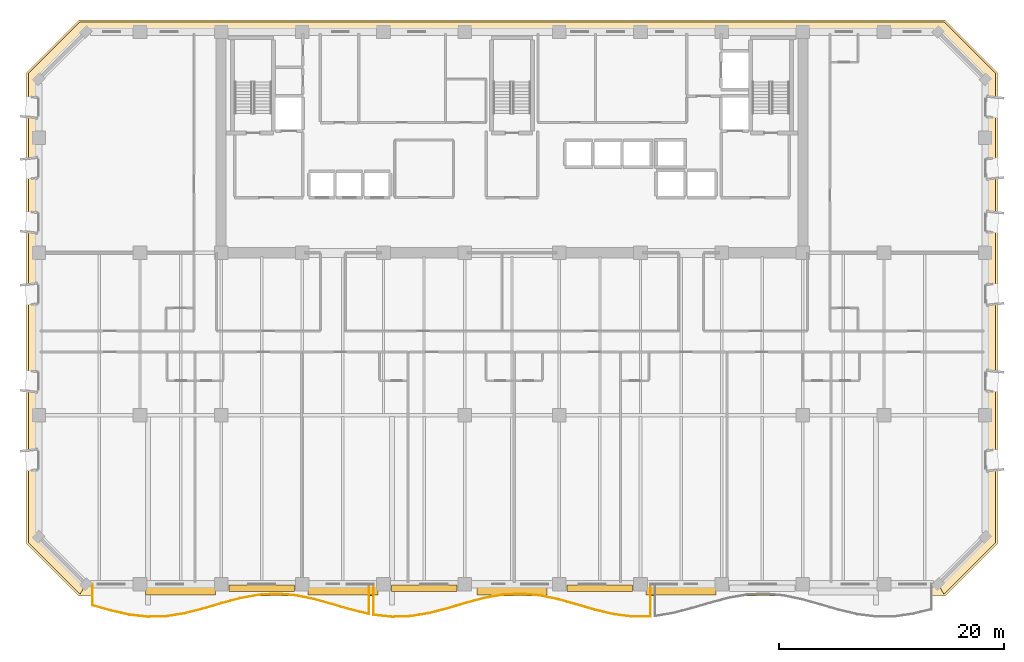
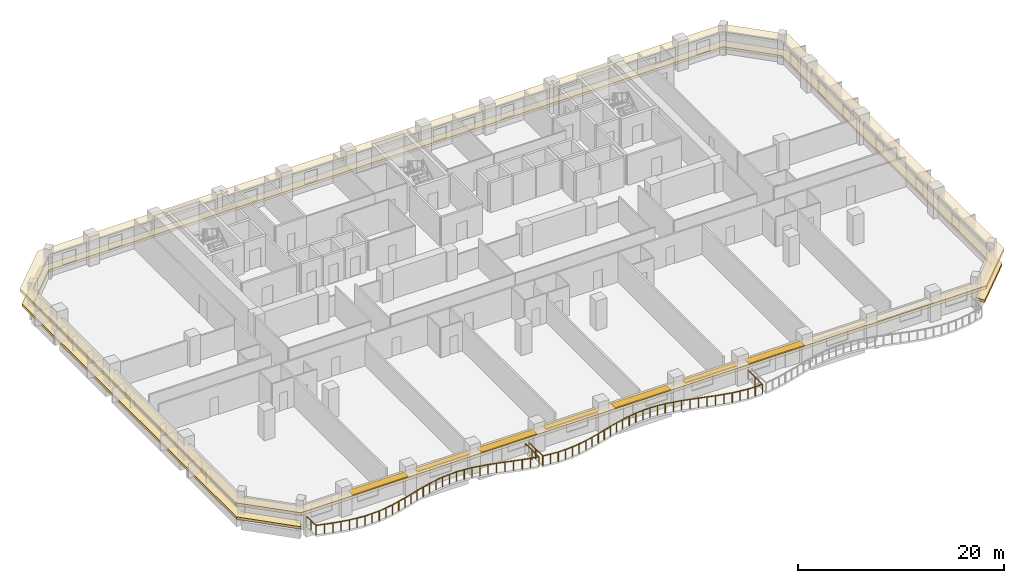
# One storey, part 11 of 14: 7 shading devices, 2 coverings, 2 railings.
"""IFC4 building model written with IfcOpenShell, lengths in metres."""

import ifcopenshell
import ifcopenshell.guid

model = None  # the IFC model being written
_history = None  # IfcOwnerHistory: only IFC2X3 demands one
_inside = {}  # id of a spatial element -> (the spatial element, [elements in it])
_under = {}  # id of a project, library or spatial element -> (it, [spatial elements below it])
_declared = {}  # id of a project -> (the project, [libraries it declares])
_typed = {}  # id of a type object -> (the type object, [elements of that type])
_made_of = {}  # id of a material, layer set ... -> (it, [elements and type objects made of it])


def new_model(schema):
    """Start an empty IFC model of exactly this schema.

    Asked for "IFC4X3", IfcOpenShell would pick the latest addendum, in which some entities
    have other attributes; the version numbers below select the first issue.
    IFC2X3 requires an IfcOwnerHistory on every rooted entity: one is made here for all.
    """
    global model, _history
    if schema == "IFC4X3":
        model = ifcopenshell.file(schema_version=(4, 3, 0, 0))
    else:
        model = ifcopenshell.file(schema=schema)
    _inside.clear()
    _under.clear()
    _declared.clear()
    _typed.clear()
    _made_of.clear()
    _history = None
    if model.schema == "IFC2X3":
        org = make("IfcOrganization", Name="unknown")
        user = make(
            "IfcPersonAndOrganization",
            ThePerson=make("IfcPerson", FamilyName="unknown"),
            TheOrganization=org,
        )
        app = make(
            "IfcApplication",
            ApplicationDeveloper=org,
            Version="unknown",
            ApplicationFullName="unknown",
            ApplicationIdentifier="unknown",
        )
        _history = make(
            "IfcOwnerHistory",
            OwningUser=user,
            OwningApplication=app,
            ChangeAction="ADDED",
            CreationDate=0,
        )
    return model


def make(cls, **values):
    """One entity of the class cls with the attributes given. An attribute that is None is left unset."""
    return model.create_entity(
        cls, **{name: value for name, value in values.items() if value is not None}
    )


def rooted(cls, **values):
    """An entity with a GlobalId (a new one), such as an element, a storey or a relation."""
    return make(cls, GlobalId=ifcopenshell.guid.new(), OwnerHistory=_history, **values)


def si_unit(unit_type, name, prefix=None):
    """IfcSIUnit, for example si_unit("LENGTHUNIT", "METRE", prefix="MILLI")."""
    return make("IfcSIUnit", UnitType=unit_type, Prefix=prefix, Name=name)


def assignment(units):
    """IfcUnitAssignment: the units of a project."""
    return None if units is None else make("IfcUnitAssignment", Units=units)


def point(xyz):
    """IfcCartesianPoint."""
    return None if xyz is None else make("IfcCartesianPoint", Coordinates=xyz)


def direction(xyz):
    """IfcDirection."""
    return None if xyz is None else make("IfcDirection", DirectionRatios=xyz)


def frame(location, z_axis=None, x_axis=None):
    """IfcAxis2Placement3D, a coordinate frame: its origin and axes. An axis left out is left unset."""
    return make(
        "IfcAxis2Placement3D",
        Location=point(location),
        Axis=direction(z_axis),
        RefDirection=direction(x_axis),
    )


def frame_2d(location, x_axis=None):
    """IfcAxis2Placement2D, a coordinate frame in the plane: its origin and x axis."""
    return make(
        "IfcAxis2Placement2D", Location=point(location), RefDirection=direction(x_axis)
    )


def origin():
    """The frame at (0, 0, 0) with its axes left unset."""
    return frame((0.0, 0.0, 0.0))


def origin_2d():
    """The frame at (0, 0) in the plane with its x axis left unset."""
    return frame_2d((0.0, 0.0))


def place(relative_to, where):
    """IfcLocalPlacement: puts the frame where relative to a parent placement (None: the world)."""
    return make(
        "IfcLocalPlacement", PlacementRelTo=relative_to, RelativePlacement=where
    )


def context(
    kind, dimensions, precision=None, world=None, true_north=None, identifier=None
):
    """IfcGeometricRepresentationContext, for example the 3D "Model" context."""
    return make(
        "IfcGeometricRepresentationContext",
        ContextIdentifier=identifier,
        ContextType=kind,
        CoordinateSpaceDimension=dimensions,
        Precision=precision,
        WorldCoordinateSystem=world,
        TrueNorth=true_north,
    )


def subcontext(parent, identifier, kind, view, scale=None):
    """IfcGeometricRepresentationSubContext, for example "Body" below "Model"."""
    return make(
        "IfcGeometricRepresentationSubContext",
        ContextIdentifier=identifier,
        ContextType=kind,
        ParentContext=parent,
        TargetScale=scale,
        TargetView=view,
    )


def project(units=None, contexts=None):
    """IfcProject with its units and contexts."""
    return rooted(
        "IfcProject",
        Name="project",
        RepresentationContexts=contexts,
        UnitsInContext=assignment(units),
    )


def spatial(cls, under=None, at=None, **own):
    """A site, building, storey or space (cls), placed at a placement, below another one or the project."""
    s = rooted(cls, ObjectPlacement=at, **own)
    if under is not None:
        _under.setdefault(under.id(), (under, []))[1].append(s)
    return s


def polyline(points):
    """IfcPolyline through the points."""
    return make("IfcPolyline", Points=[point(p) for p in points])


def profile(cls, at=None, kind="AREA", **sizes):
    """A parametric profile (cls). Its sizes go by their IFC names, for example OverallWidth=200.0."""
    return make(cls, ProfileType=kind, Position=at, **sizes)


def rectangle(**sizes):
    """IfcRectangleProfileDef."""
    return profile("IfcRectangleProfileDef", **sizes)


def outline(outer, holes=None, kind="AREA"):
    """IfcArbitraryClosedProfileDef: a profile drawn as a closed curve; with holes, ...WithVoids."""
    if holes is None:
        return make("IfcArbitraryClosedProfileDef", ProfileType=kind, OuterCurve=outer)
    return make(
        "IfcArbitraryProfileDefWithVoids",
        ProfileType=kind,
        OuterCurve=outer,
        InnerCurves=holes,
    )


def extrude(swept, where, along, depth):
    """IfcExtrudedAreaSolid: the profile swept, set in the frame where, extruded along a direction by depth."""
    return make(
        "IfcExtrudedAreaSolid",
        SweptArea=swept,
        Position=where,
        ExtrudedDirection=direction(along),
        Depth=depth,
    )


def shape(context_of_items, identifier, shape_type, items):
    """IfcShapeRepresentation: the items that make up one representation, for example the "Body"."""
    return make(
        "IfcShapeRepresentation",
        ContextOfItems=context_of_items,
        RepresentationIdentifier=identifier,
        RepresentationType=shape_type,
        Items=items,
    )


def material(Name=None, Category=None):
    """IfcMaterial."""
    return make("IfcMaterial", Name=Name, Category=Category)


def layer(
    of_material, thickness, ventilated=None, Name=None, Category=None, Priority=None
):
    """IfcMaterialLayer: one layer of a wall or slab, of a material (None: an air gap)."""
    return make(
        "IfcMaterialLayer",
        Material=of_material,
        LayerThickness=thickness,
        IsVentilated=ventilated,
        Name=Name,
        Category=Category,
        Priority=Priority,
    )


def layer_set(layers, Name=None):
    """IfcMaterialLayerSet."""
    return make("IfcMaterialLayerSet", MaterialLayers=layers, LayerSetName=Name)


def made_of(thing, what):
    """Note that an element or type object is made of a material, layer set ...; save() writes the relation."""
    if what is not None:
        _made_of.setdefault(what.id(), (what, []))[1].append(thing)
    return thing


def type_object(cls, material=None, **own):
    """A type object (cls), such as IfcWallType, which elements share."""
    return made_of(rooted(cls, **own), material)


def element(
    cls,
    number,
    at=None,
    inside=None,
    cuts=None,
    type_object=None,
    material=None,
    context=None,
    identifier="Body",
    shape_type=None,
    held_by="IfcProductDefinitionShape",
    body=None,
    shapes=None,
    **own,
):
    """One element of the class cls, such as IfcWall. Its Tag is "e" and its number.

    at: its placement. inside: the storey or other place that contains it. cuts: it is an
    opening in that element (IfcRelVoidsElement). A single representation is given by context,
    identifier, shape_type and body (its items); several are given by shapes. held_by: the class
    of the entity that holds the representations. save() writes the other relations.
    """
    e = rooted(cls, Tag="e%d" % number, ObjectPlacement=at, **own)
    if body is not None:
        shapes = [shape(context, identifier, shape_type, body)]
    if shapes is not None:
        e.Representation = make(held_by, Representations=shapes)
    if inside is not None:
        _inside.setdefault(inside.id(), (inside, []))[1].append(e)
    if cuts is not None:
        rooted(
            "IfcRelVoidsElement", RelatingBuildingElement=cuts, RelatedOpeningElement=e
        )
    if type_object is not None:
        _typed.setdefault(type_object.id(), (type_object, []))[1].append(e)
    return made_of(e, material)


def aggregate(whole, parts):
    """IfcRelAggregates: a whole, such as a stair, and the parts it consists of."""
    return rooted("IfcRelAggregates", RelatingObject=whole, RelatedObjects=parts)


def save(model, path):
    """Write the relations noted so far, then the file.

    IfcRelAggregates (storeys below a building ...), IfcRelContainedInSpatialStructure (elements
    in a storey), IfcRelDefinesByType, IfcRelAssociatesMaterial and IfcRelDeclares: one each for
    every whole, place, type object, material and project.
    """
    for whole, parts in _under.values():
        aggregate(whole, parts)
    for where, things in _inside.values():
        rooted(
            "IfcRelContainedInSpatialStructure",
            RelatedElements=things,
            RelatingStructure=where,
        )
    for kind, things in _typed.values():
        rooted("IfcRelDefinesByType", RelatedObjects=things, RelatingType=kind)
    for what, things in _made_of.values():
        rooted("IfcRelAssociatesMaterial", RelatedObjects=things, RelatingMaterial=what)
    for by, libraries in _declared.values():
        rooted("IfcRelDeclares", RelatingContext=by, RelatedDefinitions=libraries)
    model.write(path)


model = new_model("IFC4")

# Units and contexts
model_context = context("Model", 3, precision=1e-05, world=origin(), true_north=direction((0.0, 1.0)))
body_context = subcontext(model_context, "Body", "Model", "MODEL_VIEW")
ifc_project = project(units=[si_unit("LENGTHUNIT", "METRE"), si_unit("AREAUNIT", "SQUARE_METRE"), si_unit("VOLUMEUNIT", "CUBIC_METRE"), si_unit("PLANEANGLEUNIT", "RADIAN"), si_unit("MASSUNIT", "GRAM", prefix="KILO")], contexts=[model_context])

# Site, building, storey
site_placement = place(None, origin())
site = spatial("IfcSite", under=ifc_project, at=site_placement, CompositionType="ELEMENT")
building_placement = place(site_placement, origin())
building = spatial("IfcBuilding", under=site, at=building_placement, Name="Kaelvorn Grand Hotel", CompositionType="ELEMENT")
storey_placement = place(building_placement, frame((0.0, 0.0, 89.300048828125)))
storey = spatial("IfcBuildingStorey", under=building, at=storey_placement, Name="L20", CompositionType="ELEMENT", Elevation=89.300048828125)

# Coverings
ifc_material_1 = material(Name="Precast concrete C45/55", Category="concrete")
ifc_layer_1 = layer(ifc_material_1, 0.260009765625)
ifc_layer_set_1 = layer_set([ifc_layer_1], Name="Precast concrete C45/55")
covering_type_1 = type_object("IfcCoveringType", Name="COV-BAND-STREAMLINE-HEAD", PredefinedType="CLADDING", material=ifc_layer_set_1)
covering_1_placement = place(storey_placement, frame((0.0, 0.0, 2.179931640625)))
element("IfcCovering", 1, at=covering_1_placement, inside=storey, type_object=covering_type_1, Name="L20 Streamline Moderne Wraparound Horizontal Eyebrow Band", PredefinedType="CLADDING", context=body_context, shape_type="SweptSolid", body=[
    extrude(outline(polyline([(3.590087890625, -1.050048828125), (80.409912109375, -1.050048828125), (85.050048828125, 3.590087890625), (85.050048828125, 45.409912109375), (80.409912109375, 50.050048828125), (3.590087890625, 50.050048828125), (-1.050048828125, 45.409912109375), (-1.050048828125, 3.590087890625), (3.590087890625, -1.050048828125)]), holes=[polyline([(4.219970703125, 0.030029296875), (79.780029296875, 0.030029296875), (83.969970703125, 4.219970703125), (83.969970703125, 44.780029296875), (79.780029296875, 48.969970703125), (4.219970703125, 48.969970703125), (0.030029296875, 44.780029296875), (0.030029296875, 4.219970703125), (4.219970703125, 0.030029296875)])]), origin(), (0.0, 0.0, 1.0), 0.360107421875),
])
ifc_layer_2 = layer(ifc_material_1, 0.219970703125)
ifc_layer_set_2 = layer_set([ifc_layer_2], Name="Precast concrete C45/55")
covering_type_2 = type_object("IfcCoveringType", Name="COV-BAND-STREAMLINE-SILL", PredefinedType="CLADDING", material=ifc_layer_set_2)
covering_2_placement = place(storey_placement, frame((0.0, 0.0, 0.449951171875)))
element("IfcCovering", 2, at=covering_2_placement, inside=storey, type_object=covering_type_2, Name="L20 Streamline Moderne Wraparound Horizontal Sill Spandrel Band", PredefinedType="CLADDING", context=body_context, shape_type="SweptSolid", body=[
    extrude(outline(polyline([(80.3154296875, -0.8798828125), (84.8798828125, 3.6845703125), (84.8798828125, 45.3154296875), (80.3154296875, 49.8798828125), (3.6845703125, 49.8798828125), (-0.8798828125, 45.3154296875), (-0.8798828125, 3.6845703125), (3.6845703125, -0.8798828125), (4.217529296875, 0.030029296875), (0.030029296875, 4.217529296875), (0.030029296875, 44.782470703125), (4.217529296875, 48.969970703125), (79.782470703125, 48.969970703125), (83.969970703125, 44.782470703125), (83.969970703125, 4.217529296875), (79.782470703125, 0.030029296875), (80.3154296875, -0.8798828125)])), origin(), (0.0, 0.0, 1.0), 0.300048828125),
])

# Railings
ifc_material_2 = material(Name="Stainless Steel", Category="steel")
railing_type = type_object("IfcRailingType", Name="RL-BALC-1150", PredefinedType="BALUSTRADE", material=ifc_material_2)
railing_1_placement = place(storey_placement, frame((4.800048828125, 0.0, 0.0)))
element("IfcRailing", 3, at=railing_1_placement, inside=storey, type_object=railing_type, Name="L20 Scalloped Wave Balcony Balustrade GR1-1", PredefinedType="BALUSTRADE", context=body_context, shape_type="SweptSolid", body=[
    extrude(rectangle(XDim=0.048095703125, YDim=0.048095703125, at=origin_2d()), frame((0.0, 0.0, 1.1259765625), z_axis=(0.0, -1.0, 0.0), x_axis=(1.0, 0.0, 0.0)), (0.0, 0.0, 1.0), 1.875),
    extrude(rectangle(XDim=0.048095703125, YDim=0.048095703125, at=origin_2d()), frame((0.0, -1.875, 1.1259765625), z_axis=(0.961182099659, -0.275914789916, 0.0), x_axis=(0.275914789916, 0.961182099659, 0.0)), (0.0, 0.0, 1.0), 1.70166015625),
    extrude(rectangle(XDim=0.048095703125, YDim=0.048095703125, at=origin_2d()), frame((1.635498046875, -2.344482421875, 1.1259765625), z_axis=(0.975960285226, -0.21794843808, 0.0), x_axis=(0.21794843808, 0.975960285226, 0.0)), (0.0, 0.0, 1.0), 1.67578125),
    extrude(rectangle(XDim=0.048095703125, YDim=0.048095703125, at=origin_2d()), frame((3.27099609375, -2.709716796875, 1.1259765625), z_axis=(0.994020469758, -0.109193890409, 0.0), x_axis=(0.109193890409, 0.994020469758, 0.0)), (0.0, 0.0, 1.0), 1.6455078125),
    extrude(rectangle(XDim=0.048095703125, YDim=0.048095703125, at=origin_2d()), frame((4.90673828125, -2.889404296875, 1.1259765625), z_axis=(0.999614765722, 0.02775464195, 0.0), x_axis=(-0.02775464195, 0.999614765722, 0.0)), (0.0, 0.0, 1.0), 1.63623046875),
    extrude(rectangle(XDim=0.048095703125, YDim=0.048095703125, at=origin_2d()), frame((6.542236328125, -2.843994140625, 1.1259765625), z_axis=(0.987528788289, 0.157438534989, 0.0), x_axis=(-0.157438534989, 0.987528788289, 0.0)), (0.0, 0.0, 1.0), 1.65625),
    extrude(rectangle(XDim=0.048095703125, YDim=0.048095703125, at=origin_2d()), frame((8.177734375, -2.583251953125, 1.1259765625), z_axis=(0.968861629416, 0.247602792888, 0.0), x_axis=(-0.247602792888, 0.968861629416, 0.0)), (0.0, 0.0, 1.0), 1.68798828125),
    extrude(rectangle(XDim=0.048095703125, YDim=0.048095703125, at=origin_2d()), frame((9.813232421875, -2.165283203125, 1.1259765625), z_axis=(0.959105197492, 0.283049854522, 0.0), x_axis=(-0.283049854522, 0.959105197492, 0.0)), (0.0, 0.0, 1.0), 1.705322265625),
    extrude(rectangle(XDim=0.048095703125, YDim=0.048095703125, at=origin_2d()), frame((11.44873046875, -1.6826171875, 1.1259765625), z_axis=(0.965718666242, 0.25959094297, 0.0), x_axis=(-0.25959094297, 0.965718666242, 0.0)), (0.0, 0.0, 1.0), 1.69384765625),
    extrude(rectangle(XDim=0.048095703125, YDim=0.048095703125, at=origin_2d()), frame((13.08447265625, -1.242919921875, 1.1259765625), z_axis=(0.983662506195, 0.180022426122, 0.0), x_axis=(-0.180022426122, 0.983662506195, 0.0)), (0.0, 0.0, 1.0), 1.66259765625),
    extrude(rectangle(XDim=0.048095703125, YDim=0.048095703125, at=origin_2d()), frame((14.719970703125, -0.943603515625, 1.1259765625), z_axis=(0.998403431973, 0.056485281492, 0.0), x_axis=(-0.056485281492, 0.998403431973, 0.0)), (0.0, 0.0, 1.0), 1.63818359375),
    extrude(rectangle(XDim=0.048095703125, YDim=0.048095703125, at=origin_2d()), frame((16.35546875, -0.85107421875, 1.1259765625), z_axis=(0.996610094372, -0.082269798804, 0.0), x_axis=(0.082269798804, 0.996610094372, 0.0)), (0.0, 0.0, 1.0), 1.64111328125),
    extrude(rectangle(XDim=0.048095703125, YDim=0.048095703125, at=origin_2d()), frame((17.990966796875, -0.986083984375, 1.1259765625), z_axis=(0.979985536223, -0.199068703701, 0.0), x_axis=(0.199068703701, 0.979985536223, 0.0)), (0.0, 0.0, 1.0), 1.669189453125),
    extrude(rectangle(XDim=0.048095703125, YDim=0.048095703125, at=origin_2d()), frame((19.626708984375, -1.318359375, 1.1259765625), z_axis=(0.963251690304, -0.268600411627, 0.0), x_axis=(0.268600411627, 0.963251690304, 0.0)), (0.0, 0.0, 1.0), 1.697998046875),
    extrude(rectangle(XDim=0.048095703125, YDim=0.048095703125, at=origin_2d()), frame((21.26220703125, -1.7744140625, 1.1259765625), z_axis=(0.959763780104, -0.280808629498, 0.0), x_axis=(0.280808629498, 0.959763780104, 0.0)), (0.0, 0.0, 1.0), 1.7041015625),
    extrude(rectangle(XDim=0.048095703125, YDim=0.048095703125, at=origin_2d()), frame((22.897705078125, -2.2529296875, 1.1259765625), z_axis=(0.972148369978, -0.234366266236, 0.0), x_axis=(0.234366266236, 0.972148369978, 0.0)), (0.0, 0.0, 1.0), 1.682373046875),
    extrude(rectangle(XDim=0.048095703125, YDim=0.048095703125, at=origin_2d()), frame((24.533203125, -2.647216796875, 1.1259765625), z_axis=(0.0, 1.0, 0.0), x_axis=(-1.0, 0.0, 0.0)), (0.0, 0.0, 1.0), 2.647216796875),
    extrude(rectangle(XDim=0.0419921875, YDim=0.0419921875, at=origin_2d()), origin(), (0.0, 0.0, 1.0), 1.101806640625),
    extrude(rectangle(XDim=0.0419921875, YDim=0.0419921875, at=origin_2d()), frame((0.0, -0.9375, 0.0)), (0.0, 0.0, 1.0), 1.101806640625),
    extrude(rectangle(XDim=0.0419921875, YDim=0.0419921875, at=origin_2d()), frame((0.0, -1.875, 0.0)), (0.0, 0.0, 1.0), 1.101806640625),
    extrude(rectangle(XDim=0.0419921875, YDim=0.0419921875, at=origin_2d()), frame((0.81787109375, -2.10986328125, 0.0)), (0.0, 0.0, 1.0), 1.101806640625),
    extrude(rectangle(XDim=0.0419921875, YDim=0.0419921875, at=origin_2d()), frame((1.635498046875, -2.344482421875, 0.0)), (0.0, 0.0, 1.0), 1.101806640625),
    extrude(rectangle(XDim=0.0419921875, YDim=0.0419921875, at=origin_2d()), frame((2.453125, -2.527099609375, 0.0)), (0.0, 0.0, 1.0), 1.101806640625),
    extrude(rectangle(XDim=0.0419921875, YDim=0.0419921875, at=origin_2d()), frame((3.27099609375, -2.709716796875, 0.0)), (0.0, 0.0, 1.0), 1.101806640625),
    extrude(rectangle(XDim=0.0419921875, YDim=0.0419921875, at=origin_2d()), frame((4.0888671875, -2.799560546875, 0.0)), (0.0, 0.0, 1.0), 1.101806640625),
    extrude(rectangle(XDim=0.0419921875, YDim=0.0419921875, at=origin_2d()), frame((4.90673828125, -2.889404296875, 0.0)), (0.0, 0.0, 1.0), 1.101806640625),
    extrude(rectangle(XDim=0.0419921875, YDim=0.0419921875, at=origin_2d()), frame((5.724609375, -2.86669921875, 0.0)), (0.0, 0.0, 1.0), 1.101806640625),
    extrude(rectangle(XDim=0.0419921875, YDim=0.0419921875, at=origin_2d()), frame((6.542236328125, -2.843994140625, 0.0)), (0.0, 0.0, 1.0), 1.101806640625),
    extrude(rectangle(XDim=0.0419921875, YDim=0.0419921875, at=origin_2d()), frame((7.35986328125, -2.713623046875, 0.0)), (0.0, 0.0, 1.0), 1.101806640625),
    extrude(rectangle(XDim=0.0419921875, YDim=0.0419921875, at=origin_2d()), frame((8.177734375, -2.583251953125, 0.0)), (0.0, 0.0, 1.0), 1.101806640625),
    extrude(rectangle(XDim=0.0419921875, YDim=0.0419921875, at=origin_2d()), frame((8.99560546875, -2.374267578125, 0.0)), (0.0, 0.0, 1.0), 1.101806640625),
    extrude(rectangle(XDim=0.0419921875, YDim=0.0419921875, at=origin_2d()), frame((9.813232421875, -2.165283203125, 0.0)), (0.0, 0.0, 1.0), 1.101806640625),
    extrude(rectangle(XDim=0.0419921875, YDim=0.0419921875, at=origin_2d()), frame((10.630859375, -1.923828125, 0.0)), (0.0, 0.0, 1.0), 1.101806640625),
    extrude(rectangle(XDim=0.0419921875, YDim=0.0419921875, at=origin_2d()), frame((11.44873046875, -1.6826171875, 0.0)), (0.0, 0.0, 1.0), 1.101806640625),
    extrude(rectangle(XDim=0.0419921875, YDim=0.0419921875, at=origin_2d()), frame((12.2666015625, -1.462890625, 0.0)), (0.0, 0.0, 1.0), 1.101806640625),
    extrude(rectangle(XDim=0.0419921875, YDim=0.0419921875, at=origin_2d()), frame((13.08447265625, -1.242919921875, 0.0)), (0.0, 0.0, 1.0), 1.101806640625),
    extrude(rectangle(XDim=0.0419921875, YDim=0.0419921875, at=origin_2d()), frame((13.90234375, -1.09326171875, 0.0)), (0.0, 0.0, 1.0), 1.101806640625),
    extrude(rectangle(XDim=0.0419921875, YDim=0.0419921875, at=origin_2d()), frame((14.719970703125, -0.943603515625, 0.0)), (0.0, 0.0, 1.0), 1.101806640625),
    extrude(rectangle(XDim=0.0419921875, YDim=0.0419921875, at=origin_2d()), frame((15.53759765625, -0.8974609375, 0.0)), (0.0, 0.0, 1.0), 1.101806640625),
    extrude(rectangle(XDim=0.0419921875, YDim=0.0419921875, at=origin_2d()), frame((16.35546875, -0.85107421875, 0.0)), (0.0, 0.0, 1.0), 1.101806640625),
    extrude(rectangle(XDim=0.0419921875, YDim=0.0419921875, at=origin_2d()), frame((17.17333984375, -0.91845703125, 0.0)), (0.0, 0.0, 1.0), 1.101806640625),
    extrude(rectangle(XDim=0.0419921875, YDim=0.0419921875, at=origin_2d()), frame((17.990966796875, -0.986083984375, 0.0)), (0.0, 0.0, 1.0), 1.101806640625),
    extrude(rectangle(XDim=0.0419921875, YDim=0.0419921875, at=origin_2d()), frame((18.808837890625, -1.15234375, 0.0)), (0.0, 0.0, 1.0), 1.101806640625),
    extrude(rectangle(XDim=0.0419921875, YDim=0.0419921875, at=origin_2d()), frame((19.626708984375, -1.318359375, 0.0)), (0.0, 0.0, 1.0), 1.101806640625),
    extrude(rectangle(XDim=0.0419921875, YDim=0.0419921875, at=origin_2d()), frame((20.4443359375, -1.54638671875, 0.0)), (0.0, 0.0, 1.0), 1.101806640625),
    extrude(rectangle(XDim=0.0419921875, YDim=0.0419921875, at=origin_2d()), frame((21.26220703125, -1.7744140625, 0.0)), (0.0, 0.0, 1.0), 1.101806640625),
    extrude(rectangle(XDim=0.0419921875, YDim=0.0419921875, at=origin_2d()), frame((22.080078125, -2.013671875, 0.0)), (0.0, 0.0, 1.0), 1.101806640625),
    extrude(rectangle(XDim=0.0419921875, YDim=0.0419921875, at=origin_2d()), frame((22.897705078125, -2.2529296875, 0.0)), (0.0, 0.0, 1.0), 1.101806640625),
    extrude(rectangle(XDim=0.0419921875, YDim=0.0419921875, at=origin_2d()), frame((23.71533203125, -2.4501953125, 0.0)), (0.0, 0.0, 1.0), 1.101806640625),
    extrude(rectangle(XDim=0.0419921875, YDim=0.0419921875, at=origin_2d()), frame((24.533203125, -2.647216796875, 0.0)), (0.0, 0.0, 1.0), 1.101806640625),
    extrude(rectangle(XDim=0.0419921875, YDim=0.0419921875, at=origin_2d()), frame((24.533203125, -1.32373046875, 0.0)), (0.0, 0.0, 1.0), 1.101806640625),
    extrude(rectangle(XDim=0.0419921875, YDim=0.0419921875, at=origin_2d()), frame((24.533203125, 0.0, 0.0)), (0.0, 0.0, 1.0), 1.101806640625),
])
railing_2_placement = place(storey_placement, frame((29.7333984375, 0.0, 0.0)))
element("IfcRailing", 4, at=railing_2_placement, inside=storey, type_object=railing_type, Name="L20 Scalloped Wave Balcony Balustrade GR1-2", PredefinedType="BALUSTRADE", context=body_context, shape_type="SweptSolid", body=[
    extrude(rectangle(XDim=0.048095703125, YDim=0.048095703125, at=origin_2d()), frame((0.0, 0.0, 1.1259765625), z_axis=(0.0, -1.0, 0.0), x_axis=(1.0, 0.0, 0.0)), (0.0, 0.0, 1.0), 2.72021484375),
    extrude(rectangle(XDim=0.048095703125, YDim=0.048095703125, at=origin_2d()), frame((0.0, -2.72021484375, 1.1259765625), z_axis=(0.994538755279, -0.104367927297, 0.0), x_axis=(0.104367927297, 0.994538755279, 0.0)), (0.0, 0.0, 1.0), 1.64453125),
    extrude(rectangle(XDim=0.048095703125, YDim=0.048095703125, at=origin_2d()), frame((1.635498046875, -2.891845703125, 1.1259765625), z_axis=(0.999451346104, 0.033121092527, 0.0), x_axis=(-0.033121092527, 0.999451346104, 0.0)), (0.0, 0.0, 1.0), 1.636474609375),
    extrude(rectangle(XDim=0.048095703125, YDim=0.048095703125, at=origin_2d()), frame((3.27099609375, -2.837646484375, 1.1259765625), z_axis=(0.986832291042, 0.161746806324, 0.0), x_axis=(-0.161746806324, 0.986832291042, 0.0)), (0.0, 0.0, 1.0), 1.6572265625),
    extrude(rectangle(XDim=0.048095703125, YDim=0.048095703125, at=origin_2d()), frame((4.906494140625, -2.569580078125, 1.1259765625), z_axis=(0.968243477418, 0.250009136707, 0.0), x_axis=(-0.250009136707, 0.968243477418, 0.0)), (0.0, 0.0, 1.0), 1.689453125),
    extrude(rectangle(XDim=0.048095703125, YDim=0.048095703125, at=origin_2d()), frame((6.542236328125, -2.147216796875, 1.1259765625), z_axis=(0.959105197492, 0.283049854522, 0.0), x_axis=(-0.283049854522, 0.959105197492, 0.0)), (0.0, 0.0, 1.0), 1.705322265625),
    extrude(rectangle(XDim=0.048095703125, YDim=0.048095703125, at=origin_2d()), frame((8.177734375, -1.66455078125, 1.1259765625), z_axis=(0.966249302034, 0.257608785406, 0.0), x_axis=(-0.257608785406, 0.966249302034, 0.0)), (0.0, 0.0, 1.0), 1.692626953125),
    extrude(rectangle(XDim=0.048095703125, YDim=0.048095703125, at=origin_2d()), frame((9.813232421875, -1.228515625, 1.1259765625), z_axis=(0.984383042767, 0.176039839563, 0.0), x_axis=(-0.176039839563, 0.984383042767, 0.0)), (0.0, 0.0, 1.0), 1.661376953125),
    extrude(rectangle(XDim=0.048095703125, YDim=0.048095703125, at=origin_2d()), frame((11.44873046875, -0.93603515625, 1.1259765625), z_axis=(0.998684533852, 0.051275743231, 0.0), x_axis=(-0.051275743231, 0.998684533852, 0.0)), (0.0, 0.0, 1.0), 1.637939453125),
    extrude(rectangle(XDim=0.048095703125, YDim=0.048095703125, at=origin_2d()), frame((13.08447265625, -0.85205078125, 1.1259765625), z_axis=(0.996182895251, -0.087290544785, 0.0), x_axis=(0.087290544785, 0.996182895251, 0.0)), (0.0, 0.0, 1.0), 1.641845703125),
    extrude(rectangle(XDim=0.048095703125, YDim=0.048095703125, at=origin_2d()), frame((14.719970703125, -0.995361328125, 1.1259765625), z_axis=(0.979231407671, -0.202745777346, 0.0), x_axis=(0.202745777346, 0.979231407671, 0.0)), (0.0, 0.0, 1.0), 1.670166015625),
    extrude(rectangle(XDim=0.048095703125, YDim=0.048095703125, at=origin_2d()), frame((16.35546875, -1.333984375, 1.1259765625), z_axis=(0.962804134231, -0.270200294425, 0.0), x_axis=(0.270200294425, 0.962804134231, 0.0)), (0.0, 0.0, 1.0), 1.69873046875),
    extrude(rectangle(XDim=0.048095703125, YDim=0.048095703125, at=origin_2d()), frame((17.990966796875, -1.79296875, 1.1259765625), z_axis=(0.960006418895, -0.279977991421, 0.0), x_axis=(0.279977991421, 0.960006418895, 0.0)), (0.0, 0.0, 1.0), 1.703857421875),
    extrude(rectangle(XDim=0.048095703125, YDim=0.048095703125, at=origin_2d()), frame((19.626708984375, -2.27001953125, 1.1259765625), z_axis=(0.972806214685, -0.231620527306, 0.0), x_axis=(0.231620527306, 0.972806214685, 0.0)), (0.0, 0.0, 1.0), 1.68115234375),
    extrude(rectangle(XDim=0.048095703125, YDim=0.048095703125, at=origin_2d()), frame((21.26220703125, -2.659423828125, 1.1259765625), z_axis=(0.991462857149, -0.130389427847, 0.0), x_axis=(0.130389427847, 0.991462857149, 0.0)), (0.0, 0.0, 1.0), 1.649658203125),
    extrude(rectangle(XDim=0.048095703125, YDim=0.048095703125, at=origin_2d()), frame((22.897705078125, -2.87451171875, 1.1259765625), z_axis=(0.99999126505, 0.004179691808, 0.0), x_axis=(-0.004179691808, 0.99999126505, 0.0)), (0.0, 0.0, 1.0), 1.635498046875),
    extrude(rectangle(XDim=0.048095703125, YDim=0.048095703125, at=origin_2d()), frame((24.533203125, -2.86767578125, 1.1259765625), z_axis=(0.0, 1.0, 0.0), x_axis=(-1.0, 0.0, 0.0)), (0.0, 0.0, 1.0), 2.86767578125),
    extrude(rectangle(XDim=0.0419921875, YDim=0.0419921875, at=origin_2d()), origin(), (0.0, 0.0, 1.0), 1.101806640625),
    extrude(rectangle(XDim=0.0419921875, YDim=0.0419921875, at=origin_2d()), frame((0.0, -1.360107421875, 0.0)), (0.0, 0.0, 1.0), 1.101806640625),
    extrude(rectangle(XDim=0.0419921875, YDim=0.0419921875, at=origin_2d()), frame((0.0, -2.72021484375, 0.0)), (0.0, 0.0, 1.0), 1.101806640625),
    extrude(rectangle(XDim=0.0419921875, YDim=0.0419921875, at=origin_2d()), frame((0.81787109375, -2.80615234375, 0.0)), (0.0, 0.0, 1.0), 1.101806640625),
    extrude(rectangle(XDim=0.0419921875, YDim=0.0419921875, at=origin_2d()), frame((1.635498046875, -2.891845703125, 0.0)), (0.0, 0.0, 1.0), 1.101806640625),
    extrude(rectangle(XDim=0.0419921875, YDim=0.0419921875, at=origin_2d()), frame((2.453125, -2.86474609375, 0.0)), (0.0, 0.0, 1.0), 1.101806640625),
    extrude(rectangle(XDim=0.0419921875, YDim=0.0419921875, at=origin_2d()), frame((3.27099609375, -2.837646484375, 0.0)), (0.0, 0.0, 1.0), 1.101806640625),
    extrude(rectangle(XDim=0.0419921875, YDim=0.0419921875, at=origin_2d()), frame((4.0888671875, -2.70361328125, 0.0)), (0.0, 0.0, 1.0), 1.101806640625),
    extrude(rectangle(XDim=0.0419921875, YDim=0.0419921875, at=origin_2d()), frame((4.906494140625, -2.569580078125, 0.0)), (0.0, 0.0, 1.0), 1.101806640625),
    extrude(rectangle(XDim=0.0419921875, YDim=0.0419921875, at=origin_2d()), frame((5.724365234375, -2.3583984375, 0.0)), (0.0, 0.0, 1.0), 1.101806640625),
    extrude(rectangle(XDim=0.0419921875, YDim=0.0419921875, at=origin_2d()), frame((6.542236328125, -2.147216796875, 0.0)), (0.0, 0.0, 1.0), 1.101806640625),
    extrude(rectangle(XDim=0.0419921875, YDim=0.0419921875, at=origin_2d()), frame((7.35986328125, -1.90576171875, 0.0)), (0.0, 0.0, 1.0), 1.101806640625),
    extrude(rectangle(XDim=0.0419921875, YDim=0.0419921875, at=origin_2d()), frame((8.177734375, -1.66455078125, 0.0)), (0.0, 0.0, 1.0), 1.101806640625),
    extrude(rectangle(XDim=0.0419921875, YDim=0.0419921875, at=origin_2d()), frame((8.99560546875, -1.446533203125, 0.0)), (0.0, 0.0, 1.0), 1.101806640625),
    extrude(rectangle(XDim=0.0419921875, YDim=0.0419921875, at=origin_2d()), frame((9.813232421875, -1.228515625, 0.0)), (0.0, 0.0, 1.0), 1.101806640625),
    extrude(rectangle(XDim=0.0419921875, YDim=0.0419921875, at=origin_2d()), frame((10.630859375, -1.082275390625, 0.0)), (0.0, 0.0, 1.0), 1.101806640625),
    extrude(rectangle(XDim=0.0419921875, YDim=0.0419921875, at=origin_2d()), frame((11.44873046875, -0.93603515625, 0.0)), (0.0, 0.0, 1.0), 1.101806640625),
    extrude(rectangle(XDim=0.0419921875, YDim=0.0419921875, at=origin_2d()), frame((12.2666015625, -0.89404296875, 0.0)), (0.0, 0.0, 1.0), 1.101806640625),
    extrude(rectangle(XDim=0.0419921875, YDim=0.0419921875, at=origin_2d()), frame((13.08447265625, -0.85205078125, 0.0)), (0.0, 0.0, 1.0), 1.101806640625),
    extrude(rectangle(XDim=0.0419921875, YDim=0.0419921875, at=origin_2d()), frame((13.90234375, -0.923828125, 0.0)), (0.0, 0.0, 1.0), 1.101806640625),
    extrude(rectangle(XDim=0.0419921875, YDim=0.0419921875, at=origin_2d()), frame((14.719970703125, -0.995361328125, 0.0)), (0.0, 0.0, 1.0), 1.101806640625),
    extrude(rectangle(XDim=0.0419921875, YDim=0.0419921875, at=origin_2d()), frame((15.53759765625, -1.16455078125, 0.0)), (0.0, 0.0, 1.0), 1.101806640625),
    extrude(rectangle(XDim=0.0419921875, YDim=0.0419921875, at=origin_2d()), frame((16.35546875, -1.333984375, 0.0)), (0.0, 0.0, 1.0), 1.101806640625),
    extrude(rectangle(XDim=0.0419921875, YDim=0.0419921875, at=origin_2d()), frame((17.17333984375, -1.5634765625, 0.0)), (0.0, 0.0, 1.0), 1.101806640625),
    extrude(rectangle(XDim=0.0419921875, YDim=0.0419921875, at=origin_2d()), frame((17.990966796875, -1.79296875, 0.0)), (0.0, 0.0, 1.0), 1.101806640625),
    extrude(rectangle(XDim=0.0419921875, YDim=0.0419921875, at=origin_2d()), frame((18.808837890625, -2.031494140625, 0.0)), (0.0, 0.0, 1.0), 1.101806640625),
    extrude(rectangle(XDim=0.0419921875, YDim=0.0419921875, at=origin_2d()), frame((19.626708984375, -2.27001953125, 0.0)), (0.0, 0.0, 1.0), 1.101806640625),
    extrude(rectangle(XDim=0.0419921875, YDim=0.0419921875, at=origin_2d()), frame((20.4443359375, -2.46484375, 0.0)), (0.0, 0.0, 1.0), 1.101806640625),
    extrude(rectangle(XDim=0.0419921875, YDim=0.0419921875, at=origin_2d()), frame((21.26220703125, -2.659423828125, 0.0)), (0.0, 0.0, 1.0), 1.101806640625),
    extrude(rectangle(XDim=0.0419921875, YDim=0.0419921875, at=origin_2d()), frame((22.080078125, -2.76708984375, 0.0)), (0.0, 0.0, 1.0), 1.101806640625),
    extrude(rectangle(XDim=0.0419921875, YDim=0.0419921875, at=origin_2d()), frame((22.897705078125, -2.87451171875, 0.0)), (0.0, 0.0, 1.0), 1.101806640625),
    extrude(rectangle(XDim=0.0419921875, YDim=0.0419921875, at=origin_2d()), frame((23.71533203125, -2.87109375, 0.0)), (0.0, 0.0, 1.0), 1.101806640625),
    extrude(rectangle(XDim=0.0419921875, YDim=0.0419921875, at=origin_2d()), frame((24.533203125, -2.86767578125, 0.0)), (0.0, 0.0, 1.0), 1.101806640625),
    extrude(rectangle(XDim=0.0419921875, YDim=0.0419921875, at=origin_2d()), frame((24.533203125, -1.433837890625, 0.0)), (0.0, 0.0, 1.0), 1.101806640625),
    extrude(rectangle(XDim=0.0419921875, YDim=0.0419921875, at=origin_2d()), frame((24.533203125, 0.0, 0.0)), (0.0, 0.0, 1.0), 1.101806640625),
])

# Shading devices
ifc_layer_3 = layer(ifc_material_1, 0.1201171875)
ifc_layer_set_3 = layer_set([ifc_layer_3], Name="Precast concrete C45/55")
shading_device_type_1 = type_object("IfcShadingDeviceType", Name="SHD-SUNSHADE-550", PredefinedType="USERDEFINED", material=ifc_layer_set_3)
for number, where, z_axis, x_axis, name in (
    (5, (19.800048828125, -0.364990234375, 2.419921875), (0.0, 0.0, 1.0), (1.0, 0.0, 0.0), "L20 Horizontal Concrete Sunshade Band SS-03"),
    (6, (34.199951171875, -0.364990234375, 2.419921875), (0.0, 0.0, 1.0), (1.0, 0.0, 0.0), "L20 Horizontal Concrete Sunshade Band SS-05"),
    (7, (49.800048828125, -0.364990234375, 2.419921875), (0.0, 0.0, 1.0), (1.0, 0.0, 0.0), "L20 Horizontal Concrete Sunshade Band SS-07"),
):
    element("IfcShadingDevice", number, at=place(storey_placement, frame(where, z_axis=z_axis, x_axis=x_axis)), inside=storey, type_object=shading_device_type_1, Name=name, ObjectType="SUNSHADE", PredefinedType="USERDEFINED", context=body_context, shape_type="SweptSolid", body=[
        extrude(rectangle(XDim=5.800048828125, YDim=0.550048828125, at=origin_2d()), origin(), (0.0, 0.0, 1.0), 0.1201171875),
    ])
ifc_layer_4 = layer(ifc_material_1, 0.139892578125)
ifc_layer_set_4 = layer_set([ifc_layer_4], Name="Precast concrete C45/55")
shading_device_type_2 = type_object("IfcShadingDeviceType", Name="SHD-SUNSHADE-850", PredefinedType="USERDEFINED", material=ifc_layer_set_4)
for number, where, z_axis, x_axis, name in (
    (8, (12.60009765625, -0.514892578125, 2.41015625), (0.0, 0.0, 1.0), (1.0, 0.0, 0.0), "L20 Horizontal Concrete Sunshade Band SS-02"),
    (9, (27.0, -0.514892578125, 2.41015625), (0.0, 0.0, 1.0), (1.0, 0.0, 0.0), "L20 Horizontal Concrete Sunshade Band SS-04"),
    (10, (42.0, -0.514892578125, 2.41015625), (0.0, 0.0, 1.0), (1.0, 0.0, 0.0), "L20 Horizontal Concrete Sunshade Band SS-06"),
    (11, (57.0, -0.514892578125, 2.41015625), (0.0, 0.0, 1.0), (1.0, 0.0, 0.0), "L20 Horizontal Concrete Sunshade Band SS-08"),
):
    element("IfcShadingDevice", number, at=place(storey_placement, frame(where, z_axis=z_axis, x_axis=x_axis)), inside=storey, type_object=shading_device_type_2, Name=name, ObjectType="SUNSHADE", PredefinedType="USERDEFINED", context=body_context, shape_type="SweptSolid", body=[
        extrude(rectangle(XDim=6.199951171875, YDim=0.85009765625, at=origin_2d()), origin(), (0.0, 0.0, 1.0), 0.139892578125),
    ])

save(model, "model.ifc")
